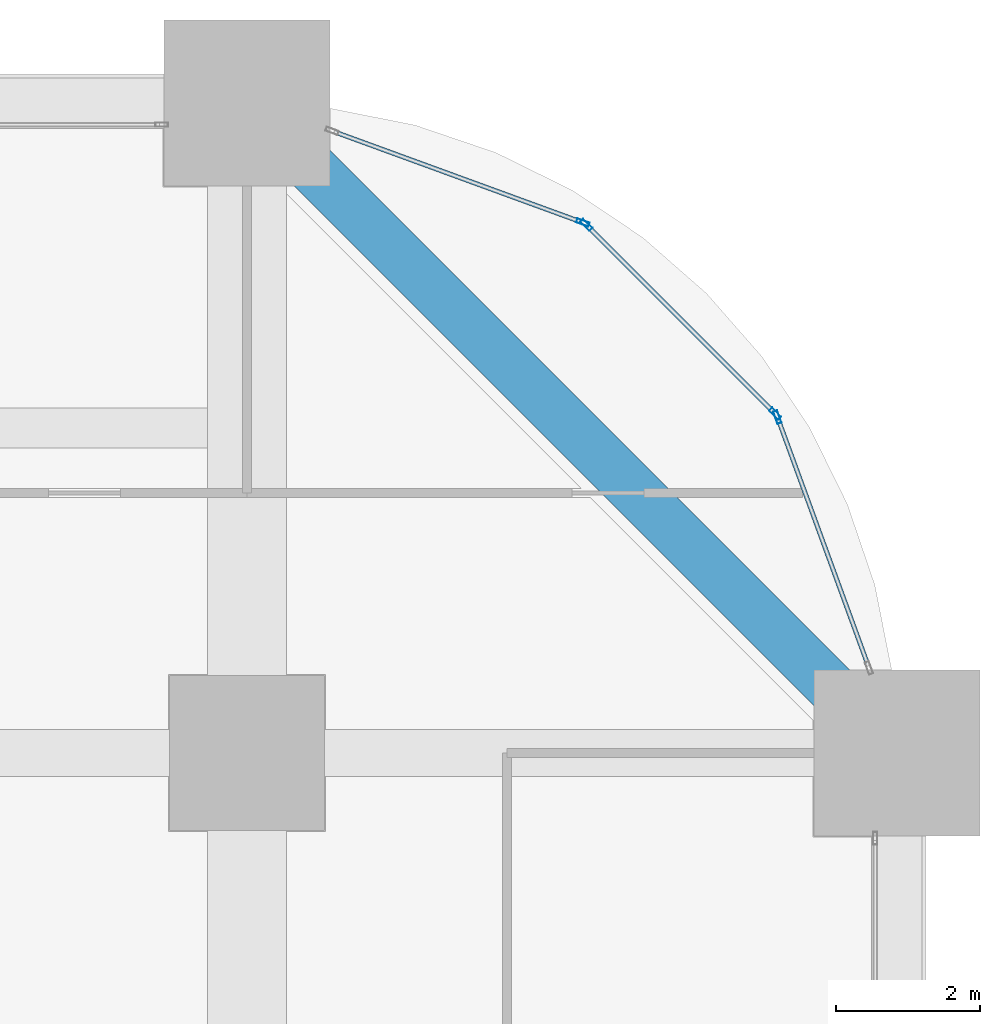
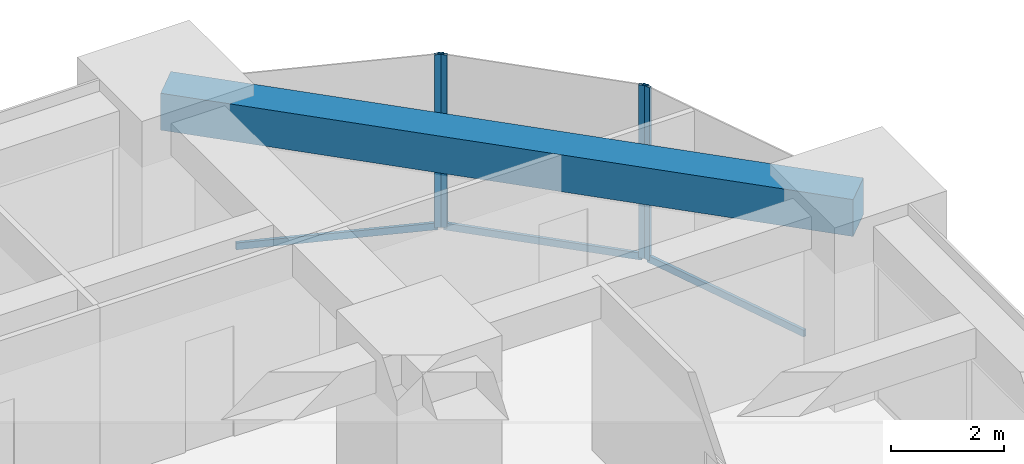
# One storey, part 37 of 44: 7 members, 1 beam, 3 elements without a shape of their own.
"""IFC4 building model written with IfcOpenShell, lengths in metres."""

from ifc_helpers import new_model, si_unit, direction, frame, origin, origin_2d, place, context, subcontext, project, spatial, rectangle, hollow_rectangle, extrude, material, material_profile, profile_set, type_object, element, aggregate, save


model = new_model("IFC4")

# Units and contexts
model_context = context("Model", 3, precision=1e-05, world=origin(), true_north=direction((0.0, 1.0)))
body_context = subcontext(model_context, "Body", "Model", "MODEL_VIEW")
ifc_project = project(units=[si_unit("LENGTHUNIT", "METRE"), si_unit("AREAUNIT", "SQUARE_METRE"), si_unit("VOLUMEUNIT", "CUBIC_METRE"), si_unit("PLANEANGLEUNIT", "RADIAN"), si_unit("MASSUNIT", "GRAM", prefix="KILO")], contexts=[model_context])

# Site, building, storey
site_placement = place(None, origin())
site = spatial("IfcSite", under=ifc_project, at=site_placement, CompositionType="ELEMENT")
building_placement = place(site_placement, origin())
building = spatial("IfcBuilding", under=site, at=building_placement, Name="Zorevar Civic Tower", CompositionType="ELEMENT")
storey_placement = place(building_placement, frame((0.0, 0.0, 55.800048828125)))
storey = spatial("IfcBuildingStorey", under=building, at=storey_placement, Name="L13", CompositionType="ELEMENT", Elevation=55.800048828125)

# Curtain wall, member
ifc_material_1 = material(Name="Dark grey solar-control glass in black aluminium frame", Category="aluminium")
curtain_wall_type = type_object("IfcCurtainWallType", Name="Curtain wall CW2 low zone", PredefinedType="NOTDEFINED", material=ifc_material_1)
curtain_wall_1_placement = place(storey_placement, origin())
curtain_wall_1 = element("IfcCurtainWall", 1, at=curtain_wall_1_placement, inside=storey, type_object=curtain_wall_type, Name="CW2 L13", PredefinedType="NOTDEFINED")
ifc_material_2 = material(Name="Aluminium, black anodised", Category="aluminium")
ifc_material_profile_1 = material_profile(ifc_material_2, hollow_rectangle(XDim=0.06005859375, YDim=0.179931640625, WallThickness=0.00390625, at=origin_2d()), Name="AL 180x60x4")
ifc_profile_set_1 = profile_set([ifc_material_profile_1], Name="Aluminium, black anodised")
member_type_1 = type_object("IfcMemberType", Name="CW2 mullion AL 180x60x4", PredefinedType="MULLION", material=ifc_profile_set_1)
member_1_placement = place(storey_placement, frame((61.34521484375, 49.650390625, 0.0), z_axis=(0.0, 0.0, 1.0), x_axis=(-0.939313345732, -0.343060400701, 0.0)))
member_1 = element("IfcMember", 2, at=member_1_placement, type_object=member_type_1, Name="CW2 mullion 2", PredefinedType="MULLION", context=body_context, shape_type="SweptSolid", body=[
    extrude(hollow_rectangle(XDim=0.06005859375, YDim=0.179931640625, WallThickness=0.00390625, at=origin_2d()), origin(), (0.0, 0.0, 1.0), 3.75),
])

# Curtain wall, members
curtain_wall_2_placement = place(storey_placement, origin())
curtain_wall_2 = element("IfcCurtainWall", 3, at=curtain_wall_2_placement, inside=storey, type_object=curtain_wall_type, Name="CW2 L13", PredefinedType="NOTDEFINED")
member_2_placement = place(storey_placement, frame((61.313720703125, 49.69970703125, 0.0), z_axis=(0.0, 0.0, 1.0), x_axis=(-0.707106781187, -0.707106781187, 0.0)))
member_2 = element("IfcMember", 4, at=member_2_placement, type_object=member_type_1, Name="CW2 mullion 1", PredefinedType="MULLION", context=body_context, shape_type="SweptSolid", body=[
    extrude(hollow_rectangle(XDim=0.06005859375, YDim=0.179931640625, WallThickness=0.00390625, at=origin_2d()), origin(), (0.0, 0.0, 1.0), 3.75),
])
member_3_placement = place(storey_placement, frame((58.69970703125, 52.313720703125, 0.0), z_axis=(0.0, 0.0, 1.0), x_axis=(-0.707106781187, -0.707106781187, 0.0)))
member_3 = element("IfcMember", 5, at=member_3_placement, type_object=member_type_1, Name="CW2 mullion 2", PredefinedType="MULLION", context=body_context, shape_type="SweptSolid", body=[
    extrude(hollow_rectangle(XDim=0.06005859375, YDim=0.179931640625, WallThickness=0.00390625, at=origin_2d()), origin(), (0.0, 0.0, 1.0), 3.75),
])

# Curtain wall, member
curtain_wall_3_placement = place(storey_placement, origin())
curtain_wall_3 = element("IfcCurtainWall", 6, at=curtain_wall_3_placement, inside=storey, type_object=curtain_wall_type, Name="CW2 L13", PredefinedType="NOTDEFINED")
member_4_placement = place(storey_placement, frame((58.650390625, 52.34521484375, 0.0), z_axis=(0.0, 0.0, 1.0), x_axis=(-0.343060400701, -0.939313345732, 0.0)))
member_4 = element("IfcMember", 7, at=member_4_placement, type_object=member_type_1, Name="CW2 mullion 1", PredefinedType="MULLION", context=body_context, shape_type="SweptSolid", body=[
    extrude(hollow_rectangle(XDim=0.06005859375, YDim=0.179931640625, WallThickness=0.00390625, at=origin_2d()), origin(), (0.0, 0.0, 1.0), 3.75),
])

# Member
ifc_material_3 = material(Name="Aluminium, black anodised", Category="aluminium")
ifc_material_profile_2 = material_profile(ifc_material_3, hollow_rectangle(XDim=0.06005859375, YDim=0.14990234375, WallThickness=0.00390625, at=origin_2d()), Name="AL 150x60x4")
ifc_profile_set_2 = profile_set([ifc_material_profile_2], Name="Aluminium, black anodised")
member_type_2 = type_object("IfcMemberType", Name="CW2 transom AL 150x60x4", PredefinedType="USERDEFINED", material=ifc_profile_set_2)
member_5_placement = place(storey_placement, frame((62.60302734375, 46.206298828125, 0.030029296875), z_axis=(-0.343047162808, 0.939318180432, 0.0), x_axis=(-0.939318180432, -0.343047162808, 0.0)))
member_5 = element("IfcMember", 8, at=member_5_placement, type_object=member_type_2, Name="CW2 sill transom", ObjectType="TRANSOM", PredefinedType="USERDEFINED", context=body_context, shape_type="SweptSolid", body=[
    extrude(hollow_rectangle(XDim=0.06005859375, YDim=0.14990234375, WallThickness=0.00390625, at=origin_2d()), origin(), (0.0, 0.0, 1.0), 3.63671875),
])

aggregate(curtain_wall_1, [member_1, member_5])

member_6_placement = place(storey_placement, frame((61.29248046875, 49.720947265625, 0.030029296875), z_axis=(-0.707106781187, 0.707106781187, 0.0), x_axis=(-0.707106781187, -0.707106781187, 0.0)))
member_6 = element("IfcMember", 9, at=member_6_placement, type_object=member_type_2, Name="CW2 sill transom", ObjectType="TRANSOM", PredefinedType="USERDEFINED", context=body_context, shape_type="SweptSolid", body=[
    extrude(hollow_rectangle(XDim=0.06005859375, YDim=0.14990234375, WallThickness=0.00390625, at=origin_2d()), origin(), (0.0, 0.0, 1.0), 3.63671875),
])

aggregate(curtain_wall_2, [member_2, member_3, member_6])

member_7_placement = place(storey_placement, frame((58.622314453125, 52.35546875, 0.030029296875), z_axis=(-0.939318180432, 0.343047162808, 0.0), x_axis=(-0.343047162808, -0.939318180432, 0.0)))
member_7 = element("IfcMember", 10, at=member_7_placement, type_object=member_type_2, Name="CW2 sill transom", ObjectType="TRANSOM", PredefinedType="USERDEFINED", context=body_context, shape_type="SweptSolid", body=[
    extrude(hollow_rectangle(XDim=0.06005859375, YDim=0.14990234375, WallThickness=0.00390625, at=origin_2d()), origin(), (0.0, 0.0, 1.0), 3.63671875),
])

aggregate(curtain_wall_3, [member_4, member_7])

# Beam
ifc_material_4 = material(Name="Concrete C50/60", Category="concrete")
ifc_material_profile_3 = material_profile(ifc_material_4, rectangle(XDim=0.699951171875, YDim=0.800048828125, at=origin_2d()), Name="RC 700x800")
ifc_profile_set_3 = profile_set([ifc_material_profile_3], Name="Concrete C50/60")
beam_type = type_object("IfcBeamType", Name="Edge beam RC 700x800", PredefinedType="SPANDREL", material=ifc_profile_set_3)
beam_placement = place(storey_placement, frame((63.0, 45.0, 3.349853515625), z_axis=(-0.707106781187, 0.707106781187, 0.0), x_axis=(-0.707106781187, -0.707106781187, 0.0)))
element("IfcBeam", 11, at=beam_placement, inside=storey, type_object=beam_type, Name="Corner edge beam L14", PredefinedType="SPANDREL", context=body_context, shape_type="SweptSolid", body=[
    extrude(rectangle(XDim=0.699951171875, YDim=0.800048828125, at=origin_2d()), origin(), (0.0, 0.0, 1.0), 12.72802734375),
])

save(model, "model.ifc")
